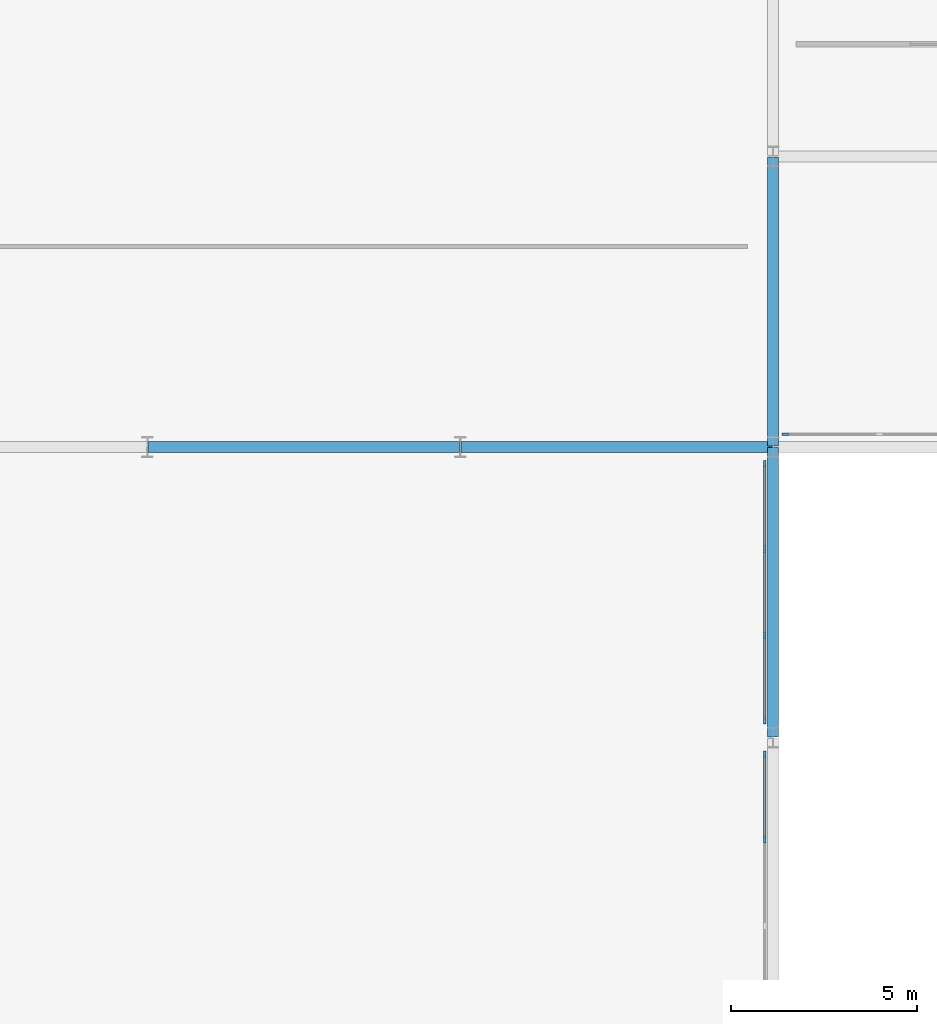
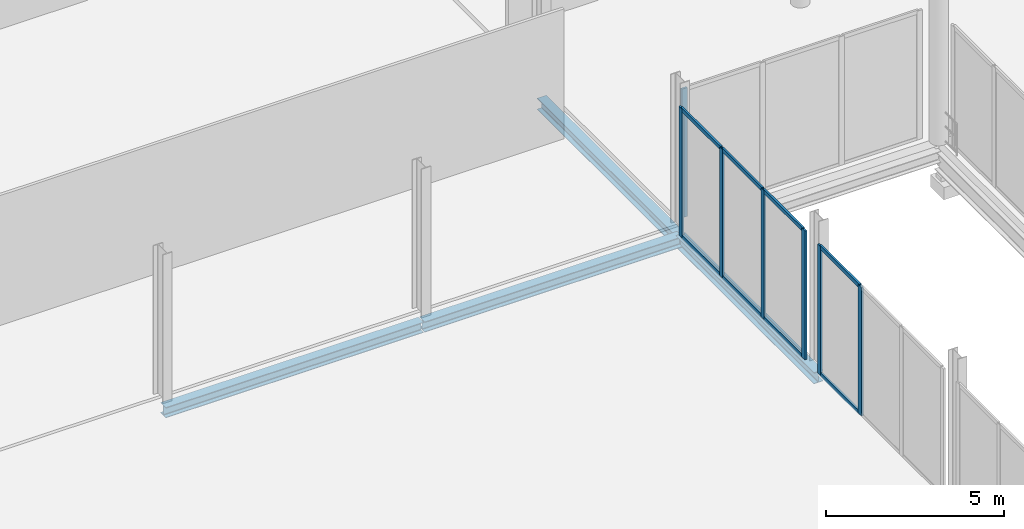
# One storey, part 43 of 105: 15 members, 4 beams, 3 elements without a shape of their own.
"""IFC4 building model written with IfcOpenShell, lengths in metres."""

from ifc_helpers import new_model, si_unit, direction, frame, origin, origin_2d, place, context, subcontext, project, spatial, rectangle, i_section, extrude, material, material_profile, profile_set, type_object, element, aggregate, save


model = new_model("IFC4")

# Units and contexts
model_context = context("Model", 3, precision=1e-05, world=origin(), true_north=direction((0.0, 1.0)))
body_context = subcontext(model_context, "Body", "Model", "MODEL_VIEW")
ifc_project = project(units=[si_unit("LENGTHUNIT", "METRE"), si_unit("AREAUNIT", "SQUARE_METRE"), si_unit("VOLUMEUNIT", "CUBIC_METRE"), si_unit("PLANEANGLEUNIT", "RADIAN"), si_unit("MASSUNIT", "GRAM", prefix="KILO")], contexts=[model_context])

# Site, building, storey
site_placement = place(None, origin())
site = spatial("IfcSite", under=ifc_project, at=site_placement, CompositionType="ELEMENT")
building_placement = place(site_placement, origin())
building = spatial("IfcBuilding", under=site, at=building_placement, Name="Nabrawat Pavilion Hospital", CompositionType="ELEMENT")
storey_placement = place(building_placement, frame((0.0, 0.0, 5.10009765625)))
storey = spatial("IfcBuildingStorey", under=building, at=storey_placement, Name="L01", CompositionType="ELEMENT", Elevation=5.10009765625)

# Curtain wall, members
ifc_material_1 = material(Name="Anodised Aluminium", Category="aluminium")
curtain_wall_type = type_object("IfcCurtainWallType", Name="Healing Garden Cloister Curtain Wall", PredefinedType="USERDEFINED", material=ifc_material_1)
curtain_wall_1_placement = place(storey_placement, origin())
curtain_wall_1 = element("IfcCurtainWall", 1, at=curtain_wall_1_placement, inside=storey, type_object=curtain_wall_type, Name="L01 Healing Garden Cloister Curtain Wall 047", ObjectType="CURTAIN WALL", PredefinedType="USERDEFINED")
ifc_material_profile_1 = material_profile(ifc_material_1, rectangle(XDim=0.06494140625, YDim=0.179931640625, at=origin_2d()), Name="CWM 65x180")
ifc_profile_set_1 = profile_set([ifc_material_profile_1], Name="Anodised Aluminium")
member_type_1 = type_object("IfcMemberType", Name="Healing Garden Cloister Curtain Wall Mullion CWM 65x180", PredefinedType="MULLION", material=ifc_profile_set_1)
member_1_placement = place(storey_placement, frame((58.580078125, 75.26171875, 0.0), z_axis=(0.0, 0.0, 1.0), x_axis=(-1.0, 0.0, 0.0)))
member_1 = element("IfcMember", 2, at=member_1_placement, type_object=member_type_1, Name="CW-CLN-01 mullion 3", PredefinedType="MULLION", context=body_context, shape_type="SweptSolid", body=[
    extrude(rectangle(XDim=0.06494140625, YDim=0.179931640625, at=origin_2d()), origin(), (0.0, 0.0, 1.0), 4.419921875),
])
member_2_placement = place(storey_placement, frame((58.580078125, 77.552490234375, 0.0), z_axis=(0.0, 0.0, 1.0), x_axis=(-1.0, 0.0, 0.0)))
member_2 = element("IfcMember", 3, at=member_2_placement, type_object=member_type_1, Name="CW-CLN-01 mullion 4", PredefinedType="MULLION", context=body_context, shape_type="SweptSolid", body=[
    extrude(rectangle(XDim=0.06494140625, YDim=0.179931640625, at=origin_2d()), origin(), (0.0, 0.0, 1.0), 4.419921875),
])

curtain_wall_2_placement = place(storey_placement, origin())
curtain_wall_2 = element("IfcCurtainWall", 4, at=curtain_wall_2_placement, inside=storey, type_object=curtain_wall_type, Name="L01 Healing Garden Cloister Curtain Wall 048", ObjectType="CURTAIN WALL", PredefinedType="USERDEFINED")
member_3_placement = place(storey_placement, frame((58.580078125, 78.447509765625, 0.0), z_axis=(0.0, 0.0, 1.0), x_axis=(-1.0, 0.0, 0.0)))
member_3 = element("IfcMember", 5, at=member_3_placement, type_object=member_type_1, Name="CW-CLN-01 mullion 1", PredefinedType="MULLION", context=body_context, shape_type="SweptSolid", body=[
    extrude(rectangle(XDim=0.06494140625, YDim=0.179931640625, at=origin_2d()), origin(), (0.0, 0.0, 1.0), 4.419921875),
])
member_4_placement = place(storey_placement, frame((58.580078125, 80.73828125, 0.0), z_axis=(0.0, 0.0, 1.0), x_axis=(-1.0, 0.0, 0.0)))
member_4 = element("IfcMember", 6, at=member_4_placement, type_object=member_type_1, Name="CW-CLN-01 mullion 2", PredefinedType="MULLION", context=body_context, shape_type="SweptSolid", body=[
    extrude(rectangle(XDim=0.06494140625, YDim=0.179931640625, at=origin_2d()), origin(), (0.0, 0.0, 1.0), 4.419921875),
])
member_5_placement = place(storey_placement, frame((58.580078125, 83.061767578125, 0.0), z_axis=(0.0, 0.0, 1.0), x_axis=(-1.0, 0.0, 0.0)))
member_5 = element("IfcMember", 7, at=member_5_placement, type_object=member_type_1, Name="CW-CLN-01 mullion 3", PredefinedType="MULLION", context=body_context, shape_type="SweptSolid", body=[
    extrude(rectangle(XDim=0.06494140625, YDim=0.179931640625, at=origin_2d()), origin(), (0.0, 0.0, 1.0), 4.419921875),
])
member_6_placement = place(storey_placement, frame((58.580078125, 85.3525390625, 0.0), z_axis=(0.0, 0.0, 1.0), x_axis=(-1.0, 0.0, 0.0)))
member_6 = element("IfcMember", 8, at=member_6_placement, type_object=member_type_1, Name="CW-CLN-01 mullion 4", PredefinedType="MULLION", context=body_context, shape_type="SweptSolid", body=[
    extrude(rectangle(XDim=0.06494140625, YDim=0.179931640625, at=origin_2d()), origin(), (0.0, 0.0, 1.0), 4.419921875),
])

# Curtain wall, member
curtain_wall_3_placement = place(storey_placement, origin())
curtain_wall_3 = element("IfcCurtainWall", 9, at=curtain_wall_3_placement, inside=storey, type_object=curtain_wall_type, Name="L01 Healing Garden Cloister Curtain Wall 050", ObjectType="CURTAIN WALL", PredefinedType="USERDEFINED")
member_7_placement = place(storey_placement, frame((59.12255859375, 86.139892578125, 0.0), z_axis=(0.0, 0.0, 1.0), x_axis=(0.0, 1.0, 0.0)))
member_7 = element("IfcMember", 10, at=member_7_placement, type_object=member_type_1, Name="CW-CLN-01 mullion 1", PredefinedType="MULLION", context=body_context, shape_type="SweptSolid", body=[
    extrude(rectangle(XDim=0.06494140625, YDim=0.179931640625, at=origin_2d()), origin(), (0.0, 0.0, 1.0), 4.419921875),
])
aggregate(curtain_wall_3, [member_7])

# Member
ifc_material_profile_2 = material_profile(ifc_material_1, rectangle(XDim=0.06494140625, YDim=0.135009765625, at=origin_2d()), Name="CWT 65x135")
ifc_profile_set_2 = profile_set([ifc_material_profile_2], Name="Anodised Aluminium")
member_type_2 = type_object("IfcMemberType", Name="Healing Garden Cloister Curtain Wall Transom CWT 65x135", PredefinedType="USERDEFINED", material=ifc_profile_set_2)
member_8_placement = place(storey_placement, frame((58.580078125, 75.294189453125, 0.032470703125), z_axis=(0.0, 1.0, 0.0), x_axis=(-1.0, 0.0, 0.0)))
member_8 = element("IfcMember", 11, at=member_8_placement, type_object=member_type_2, Name="CW-CLN-01 transom 3.1", ObjectType="TRANSOM", PredefinedType="USERDEFINED", context=body_context, shape_type="SweptSolid", body=[
    extrude(rectangle(XDim=0.06494140625, YDim=0.135009765625, at=origin_2d()), origin(), (0.0, 0.0, 1.0), 2.225830078125),
])

member_9_placement = place(storey_placement, frame((58.580078125, 75.294189453125, 4.387451171875), z_axis=(0.0, 1.0, 0.0), x_axis=(-1.0, 0.0, 0.0)))
member_9 = element("IfcMember", 12, at=member_9_placement, type_object=member_type_2, Name="CW-CLN-01 transom 3.2", ObjectType="TRANSOM", PredefinedType="USERDEFINED", context=body_context, shape_type="SweptSolid", body=[
    extrude(rectangle(XDim=0.06494140625, YDim=0.135009765625, at=origin_2d()), origin(), (0.0, 0.0, 1.0), 2.225830078125),
])

aggregate(curtain_wall_1, [member_1, member_2, member_8, member_9])

member_10_placement = place(storey_placement, frame((58.580078125, 78.47998046875, 0.032470703125), z_axis=(0.0, 1.0, 0.0), x_axis=(-1.0, 0.0, 0.0)))
member_10 = element("IfcMember", 13, at=member_10_placement, type_object=member_type_2, Name="CW-CLN-01 transom 1.1", ObjectType="TRANSOM", PredefinedType="USERDEFINED", context=body_context, shape_type="SweptSolid", body=[
    extrude(rectangle(XDim=0.06494140625, YDim=0.135009765625, at=origin_2d()), origin(), (0.0, 0.0, 1.0), 2.225830078125),
])

member_11_placement = place(storey_placement, frame((58.580078125, 78.47998046875, 4.387451171875), z_axis=(0.0, 1.0, 0.0), x_axis=(-1.0, 0.0, 0.0)))
member_11 = element("IfcMember", 14, at=member_11_placement, type_object=member_type_2, Name="CW-CLN-01 transom 1.2", ObjectType="TRANSOM", PredefinedType="USERDEFINED", context=body_context, shape_type="SweptSolid", body=[
    extrude(rectangle(XDim=0.06494140625, YDim=0.135009765625, at=origin_2d()), origin(), (0.0, 0.0, 1.0), 2.225830078125),
])

member_12_placement = place(storey_placement, frame((58.580078125, 80.770751953125, 0.032470703125), z_axis=(0.0, 1.0, 0.0), x_axis=(-1.0, 0.0, 0.0)))
member_12 = element("IfcMember", 15, at=member_12_placement, type_object=member_type_2, Name="CW-CLN-01 transom 2.1", ObjectType="TRANSOM", PredefinedType="USERDEFINED", context=body_context, shape_type="SweptSolid", body=[
    extrude(rectangle(XDim=0.06494140625, YDim=0.135009765625, at=origin_2d()), origin(), (0.0, 0.0, 1.0), 2.25830078125),
])

member_13_placement = place(storey_placement, frame((58.580078125, 80.770751953125, 4.387451171875), z_axis=(0.0, 1.0, 0.0), x_axis=(-1.0, 0.0, 0.0)))
member_13 = element("IfcMember", 16, at=member_13_placement, type_object=member_type_2, Name="CW-CLN-01 transom 2.2", ObjectType="TRANSOM", PredefinedType="USERDEFINED", context=body_context, shape_type="SweptSolid", body=[
    extrude(rectangle(XDim=0.06494140625, YDim=0.135009765625, at=origin_2d()), origin(), (0.0, 0.0, 1.0), 2.25830078125),
])

member_14_placement = place(storey_placement, frame((58.580078125, 83.09423828125, 0.032470703125), z_axis=(0.0, 1.0, 0.0), x_axis=(-1.0, 0.0, 0.0)))
member_14 = element("IfcMember", 17, at=member_14_placement, type_object=member_type_2, Name="CW-CLN-01 transom 3.1", ObjectType="TRANSOM", PredefinedType="USERDEFINED", context=body_context, shape_type="SweptSolid", body=[
    extrude(rectangle(XDim=0.06494140625, YDim=0.135009765625, at=origin_2d()), origin(), (0.0, 0.0, 1.0), 2.225830078125),
])

member_15_placement = place(storey_placement, frame((58.580078125, 83.09423828125, 4.387451171875), z_axis=(0.0, 1.0, 0.0), x_axis=(-1.0, 0.0, 0.0)))
member_15 = element("IfcMember", 18, at=member_15_placement, type_object=member_type_2, Name="CW-CLN-01 transom 3.2", ObjectType="TRANSOM", PredefinedType="USERDEFINED", context=body_context, shape_type="SweptSolid", body=[
    extrude(rectangle(XDim=0.06494140625, YDim=0.135009765625, at=origin_2d()), origin(), (0.0, 0.0, 1.0), 2.225830078125),
])

aggregate(curtain_wall_2, [member_3, member_4, member_5, member_6, member_10, member_11, member_12, member_13, member_14, member_15])

# Beams
ifc_material_2 = material(Name="Steel S355", Category="steel")
ifc_material_profile_3 = material_profile(ifc_material_2, i_section(OverallWidth=0.300048828125, OverallDepth=0.389892578125, WebThickness=0.010986328125, FlangeThickness=0.01904296875, FilletRadius=0.027099609375, at=origin_2d()), Name="HEA 400")
ifc_profile_set_3 = profile_set([ifc_material_profile_3], Name="Steel S355")
beam_type_1 = type_object("IfcBeamType", Name="Perimeter Moment Spandrel Beam HEA 400", PredefinedType="SPANDREL", material=ifc_profile_set_3)
for number, where, z_axis, x_axis, name in (
    (19, (58.800048828125, 78.02001953125, -0.465087890625), (0.0, 1.0, 0.0), (-1.0, 0.0, 0.0), "L01 Primary Y Beam 752"),
    (20, (58.800048828125, 85.820068359375, -0.47509765625), (0.0, 1.0, 0.0), (-1.0, 0.0, 0.0), "L01 Primary Y Beam 753"),
):
    element("IfcBeam", number, at=place(storey_placement, frame(where, z_axis=z_axis, x_axis=x_axis)), inside=storey, type_object=beam_type_1, Name=name, PredefinedType="SPANDREL", context=body_context, shape_type="SweptSolid", body=[
        extrude(i_section(OverallWidth=0.300048828125, OverallDepth=0.389892578125, WebThickness=0.010986328125, FlangeThickness=0.01904296875, FilletRadius=0.027099609375, at=origin_2d()), origin(), (0.0, 0.0, 1.0), 7.760009765625),
    ])
ifc_material_profile_4 = material_profile(ifc_material_2, i_section(OverallWidth=0.300048828125, OverallDepth=0.360107421875, WebThickness=0.012451171875, FlangeThickness=0.0224609375, FilletRadius=0.027099609375, at=origin_2d()), Name="HEB 360")
ifc_profile_set_4 = profile_set([ifc_material_profile_4], Name="Steel S355")
beam_type_2 = type_object("IfcBeamType", Name="Surgical Perimeter Spandrel HEB 360", PredefinedType="SPANDREL", material=ifc_profile_set_4)
beam_1_placement = place(storey_placement, frame((42.02001953125, 85.800048828125, -0.4501953125), z_axis=(1.0, 0.0, 0.0), x_axis=(0.0, 1.0, 0.0)))
element("IfcBeam", 21, at=beam_1_placement, inside=storey, type_object=beam_type_2, Name="L01 Primary X Girder 604", PredefinedType="SPANDREL", context=body_context, shape_type="SweptSolid", body=[
    extrude(i_section(OverallWidth=0.300048828125, OverallDepth=0.360107421875, WebThickness=0.012451171875, FlangeThickness=0.0224609375, FilletRadius=0.027099609375, at=origin_2d()), origin(), (0.0, 0.0, 1.0), 8.35986328125),
])
beam_2_placement = place(storey_placement, frame((50.419921875, 85.800048828125, -0.4501953125), z_axis=(1.0, 0.0, 0.0), x_axis=(0.0, 1.0, 0.0)))
element("IfcBeam", 22, at=beam_2_placement, inside=storey, type_object=beam_type_2, Name="L01 Primary X Girder 605", PredefinedType="SPANDREL", context=body_context, shape_type="SweptSolid", body=[
    extrude(i_section(OverallWidth=0.300048828125, OverallDepth=0.360107421875, WebThickness=0.012451171875, FlangeThickness=0.0224609375, FilletRadius=0.027099609375, at=origin_2d()), origin(), (0.0, 0.0, 1.0), 8.360107421875),
])

save(model, "model.ifc")
